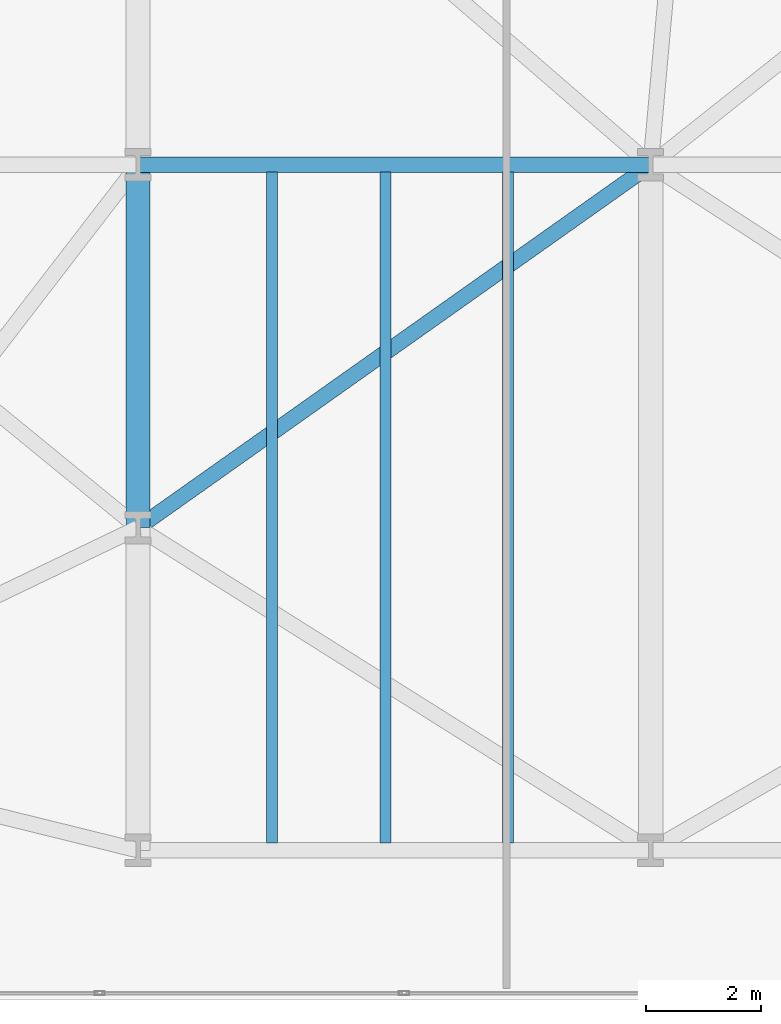
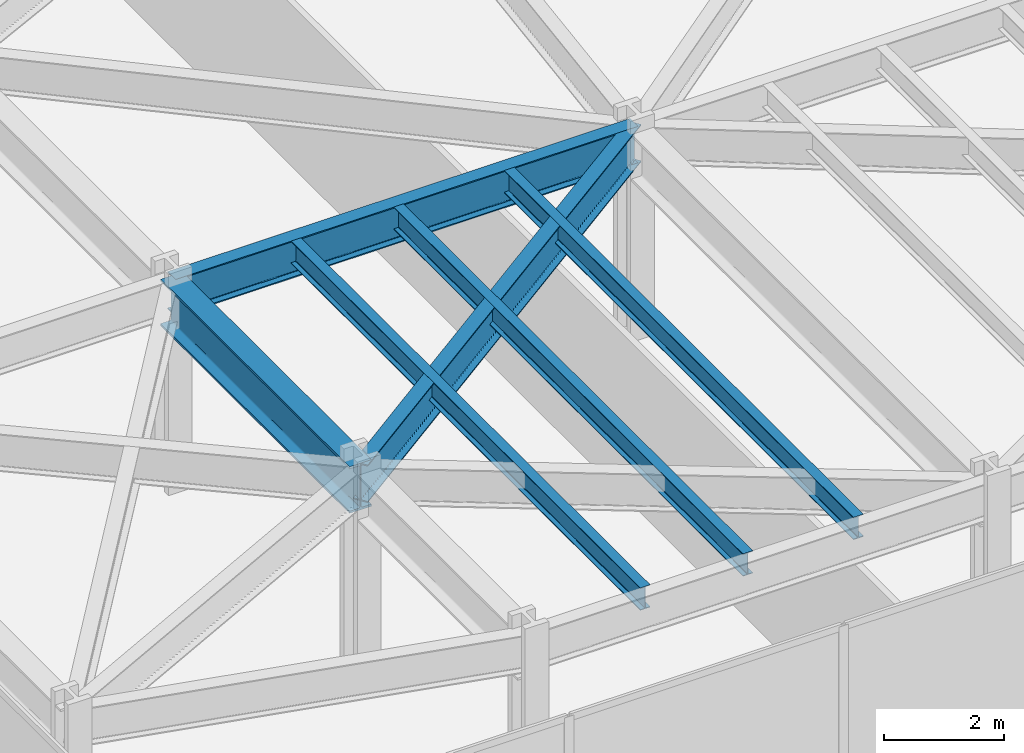
# One storey, part 5 of 28: 6 beams.
"""IFC4 building model written with IfcOpenShell, lengths in metres."""

from ifc_helpers import new_model, si_unit, direction, frame, origin, origin_2d, place, context, subcontext, project, spatial, i_section, extrude, material, material_profile, profile_set, type_object, element, save


model = new_model("IFC4")

# Units and contexts
model_context = context("Model", 3, precision=1e-05, world=origin(), true_north=direction((0.0, 1.0)))
body_context = subcontext(model_context, "Body", "Model", "MODEL_VIEW")
ifc_project = project(units=[si_unit("LENGTHUNIT", "METRE"), si_unit("AREAUNIT", "SQUARE_METRE"), si_unit("VOLUMEUNIT", "CUBIC_METRE"), si_unit("PLANEANGLEUNIT", "RADIAN"), si_unit("MASSUNIT", "GRAM", prefix="KILO")], contexts=[model_context])

# Site, building, storey
site_placement = place(None, origin())
site = spatial("IfcSite", under=ifc_project, at=site_placement, CompositionType="ELEMENT")
building_placement = place(site_placement, origin())
building = spatial("IfcBuilding", under=site, at=building_placement, Name="Kravanh Interchange Tower", CompositionType="ELEMENT")
storey_placement = place(building_placement, frame((0.0, 0.0, 10.800048828125)))
storey = spatial("IfcBuildingStorey", under=building, at=storey_placement, Name="L02", CompositionType="ELEMENT", Elevation=10.800048828125)

# Beams
ifc_material_1 = material(Name="Structural Steel S450", Category="steel")
ifc_material_profile_1 = material_profile(ifc_material_1, i_section(OverallWidth=0.423095703125, OverallDepth=0.947998046875, WebThickness=0.02392578125, FlangeThickness=0.042724609375, FilletRadius=0.028076171875, at=origin_2d()), Name="W36X302")
ifc_profile_set_1 = profile_set([ifc_material_profile_1], Name="Structural Steel S450")
beam_type_1 = type_object("IfcBeamType", Name="Floor Beam W36X302 Structural Steel S450", PredefinedType="BEAM", material=ifc_profile_set_1)
beam_1_placement = place(storey_placement, frame((8.60009765625, 8.199951171875, 3.755859375), z_axis=(0.0, 1.0, 0.0), x_axis=(-1.0, 0.0, 0.0)))
element("IfcBeam", 1, at=beam_1_placement, inside=storey, type_object=beam_type_1, Name="L02 Primary Floor Girder 23", PredefinedType="BEAM", context=body_context, shape_type="SweptSolid", body=[
    extrude(i_section(OverallWidth=0.423095703125, OverallDepth=0.947998046875, WebThickness=0.02392578125, FlangeThickness=0.042724609375, FilletRadius=0.028076171875, at=origin_2d()), origin(), (0.0, 0.0, 1.0), 6.300048828125),
])
ifc_material_2 = material(Name="Structural Steel S355", Category="steel")
ifc_material_profile_2 = material_profile(ifc_material_2, i_section(OverallWidth=0.18994140625, OverallDepth=0.45703125, WebThickness=0.009033203125, FlangeThickness=0.014404296875, FilletRadius=0.01806640625, at=origin_2d()), Name="W18X50")
ifc_profile_set_2 = profile_set([ifc_material_profile_2], Name="Structural Steel S355")
beam_type_2 = type_object("IfcBeamType", Name="Floor Joist W18X50 Structural Steel S355", PredefinedType="JOIST", material=ifc_profile_set_2)
for number, where, z_axis, x_axis, name in (
    (2, (10.922119140625, 2.728515625, 4.00146484375), (0.0, 1.0, 0.0), (-1.0, 0.0, 0.0), "L02 Secondary Floor Joist 1"),
    (3, (12.89794921875, 2.728515625, 4.00146484375), (0.0, 1.0, 0.0), (-1.0, 0.0, 0.0), "L02 Secondary Floor Joist 2"),
    (4, (15.02587890625, 2.728515625, 4.00146484375), (0.0, 1.0, 0.0), (-1.0, 0.0, 0.0), "L02 Secondary Floor Joist 3"),
):
    element("IfcBeam", number, at=place(storey_placement, frame(where, z_axis=z_axis, x_axis=x_axis)), inside=storey, type_object=beam_type_2, Name=name, PredefinedType="JOIST", context=body_context, shape_type="SweptSolid", body=[
        extrude(i_section(OverallWidth=0.18994140625, OverallDepth=0.45703125, WebThickness=0.009033203125, FlangeThickness=0.014404296875, FilletRadius=0.01806640625, at=origin_2d()), origin(), (0.0, 0.0, 1.0), 11.64306640625),
    ])
ifc_material_3 = material(Name="Structural Steel S355", Category="steel")
ifc_material_profile_3 = material_profile(ifc_material_3, i_section(OverallWidth=0.26708984375, OverallDepth=0.761962890625, WebThickness=0.014404296875, FlangeThickness=0.021484375, FilletRadius=0.02490234375, at=origin_2d()), Name="W30X116")
ifc_profile_set_3 = profile_set([ifc_material_profile_3], Name="Structural Steel S355")
beam_type_3 = type_object("IfcBeamType", Name="Floor Spandrel W30X116 Structural Steel S355", PredefinedType="SPANDREL", material=ifc_profile_set_3)
beam_2_placement = place(storey_placement, frame((8.60009765625, 8.199951171875, 3.848876953125), z_axis=(0.816199576272, 0.577770068187, 0.0), x_axis=(-0.577770068187, 0.816199576272, 0.0)))
element("IfcBeam", 5, at=beam_2_placement, inside=storey, type_object=beam_type_3, Name="L02 Perimeter Spandrel 26", PredefinedType="SPANDREL", context=body_context, shape_type="SweptSolid", body=[
    extrude(i_section(OverallWidth=0.26708984375, OverallDepth=0.761962890625, WebThickness=0.014404296875, FlangeThickness=0.021484375, FilletRadius=0.02490234375, at=origin_2d()), origin(), (0.0, 0.0, 1.0), 10.904052734375),
])
beam_3_placement = place(storey_placement, frame((8.60009765625, 14.5, 3.848876953125), z_axis=(1.0, 0.0, 0.0), x_axis=(0.0, 1.0, 0.0)))
element("IfcBeam", 6, at=beam_3_placement, inside=storey, type_object=beam_type_3, Name="L02 Perimeter Spandrel 39", PredefinedType="SPANDREL", context=body_context, shape_type="SweptSolid", body=[
    extrude(i_section(OverallWidth=0.26708984375, OverallDepth=0.761962890625, WebThickness=0.014404296875, FlangeThickness=0.021484375, FilletRadius=0.02490234375, at=origin_2d()), origin(), (0.0, 0.0, 1.0), 8.89990234375),
])

save(model, "model.ifc")
